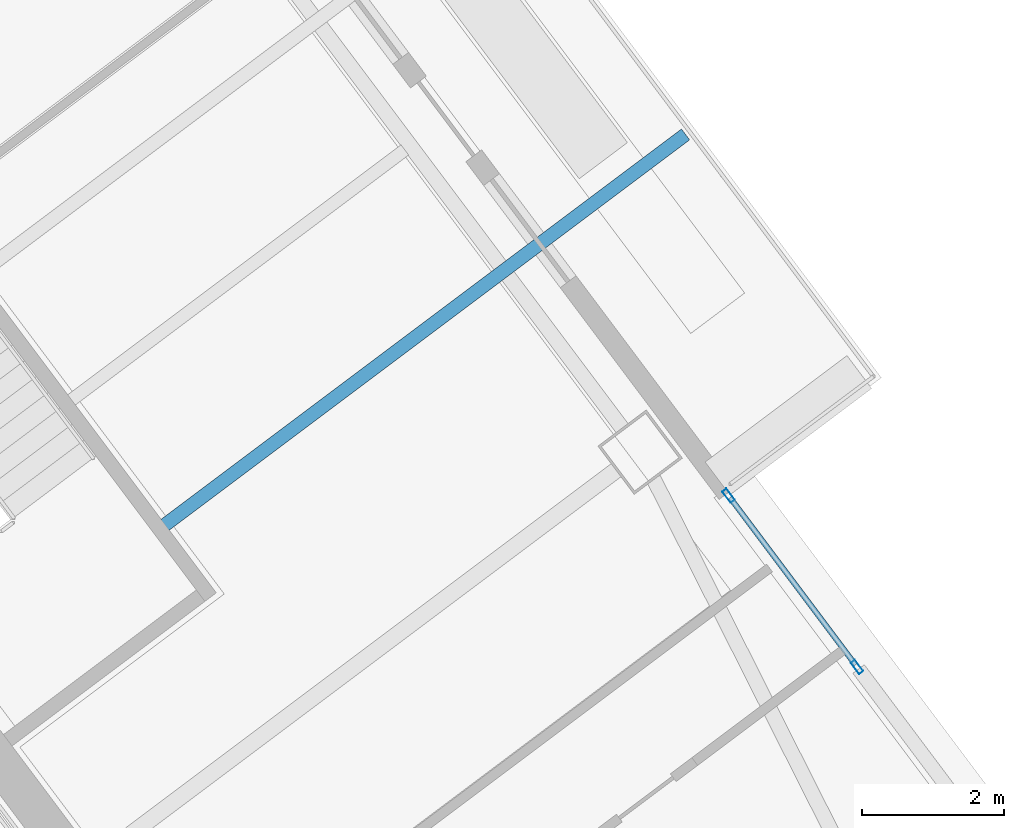
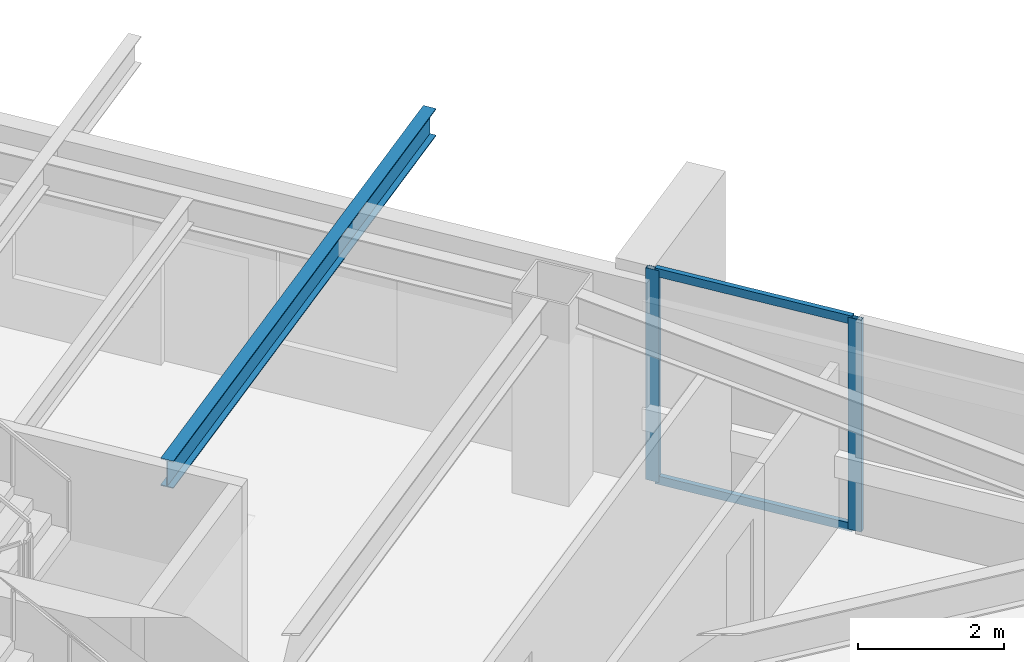
# One storey, part 24 of 41: 4 members, 1 beam, 1 element without a shape of its own.
"""IFC4 building model written with IfcOpenShell, lengths in metres."""

import ifcopenshell
import ifcopenshell.guid

model = None  # the IFC model being written
_history = None  # IfcOwnerHistory: only IFC2X3 demands one
_inside = {}  # id of a spatial element -> (the spatial element, [elements in it])
_under = {}  # id of a project, library or spatial element -> (it, [spatial elements below it])
_declared = {}  # id of a project -> (the project, [libraries it declares])
_typed = {}  # id of a type object -> (the type object, [elements of that type])
_made_of = {}  # id of a material, layer set ... -> (it, [elements and type objects made of it])


def new_model(schema):
    """Start an empty IFC model of exactly this schema.

    Asked for "IFC4X3", IfcOpenShell would pick the latest addendum, in which some entities
    have other attributes; the version numbers below select the first issue.
    IFC2X3 requires an IfcOwnerHistory on every rooted entity: one is made here for all.
    """
    global model, _history
    if schema == "IFC4X3":
        model = ifcopenshell.file(schema_version=(4, 3, 0, 0))
    else:
        model = ifcopenshell.file(schema=schema)
    _inside.clear()
    _under.clear()
    _declared.clear()
    _typed.clear()
    _made_of.clear()
    _history = None
    if model.schema == "IFC2X3":
        org = make("IfcOrganization", Name="unknown")
        user = make(
            "IfcPersonAndOrganization",
            ThePerson=make("IfcPerson", FamilyName="unknown"),
            TheOrganization=org,
        )
        app = make(
            "IfcApplication",
            ApplicationDeveloper=org,
            Version="unknown",
            ApplicationFullName="unknown",
            ApplicationIdentifier="unknown",
        )
        _history = make(
            "IfcOwnerHistory",
            OwningUser=user,
            OwningApplication=app,
            ChangeAction="ADDED",
            CreationDate=0,
        )
    return model


def make(cls, **values):
    """One entity of the class cls with the attributes given. An attribute that is None is left unset."""
    return model.create_entity(
        cls, **{name: value for name, value in values.items() if value is not None}
    )


def rooted(cls, **values):
    """An entity with a GlobalId (a new one), such as an element, a storey or a relation."""
    return make(cls, GlobalId=ifcopenshell.guid.new(), OwnerHistory=_history, **values)


def si_unit(unit_type, name, prefix=None):
    """IfcSIUnit, for example si_unit("LENGTHUNIT", "METRE", prefix="MILLI")."""
    return make("IfcSIUnit", UnitType=unit_type, Prefix=prefix, Name=name)


def assignment(units):
    """IfcUnitAssignment: the units of a project."""
    return None if units is None else make("IfcUnitAssignment", Units=units)


def point(xyz):
    """IfcCartesianPoint."""
    return None if xyz is None else make("IfcCartesianPoint", Coordinates=xyz)


def direction(xyz):
    """IfcDirection."""
    return None if xyz is None else make("IfcDirection", DirectionRatios=xyz)


def frame(location, z_axis=None, x_axis=None):
    """IfcAxis2Placement3D, a coordinate frame: its origin and axes. An axis left out is left unset."""
    return make(
        "IfcAxis2Placement3D",
        Location=point(location),
        Axis=direction(z_axis),
        RefDirection=direction(x_axis),
    )


def frame_2d(location, x_axis=None):
    """IfcAxis2Placement2D, a coordinate frame in the plane: its origin and x axis."""
    return make(
        "IfcAxis2Placement2D", Location=point(location), RefDirection=direction(x_axis)
    )


def origin():
    """The frame at (0, 0, 0) with its axes left unset."""
    return frame((0.0, 0.0, 0.0))


def origin_2d():
    """The frame at (0, 0) in the plane with its x axis left unset."""
    return frame_2d((0.0, 0.0))


def place(relative_to, where):
    """IfcLocalPlacement: puts the frame where relative to a parent placement (None: the world)."""
    return make(
        "IfcLocalPlacement", PlacementRelTo=relative_to, RelativePlacement=where
    )


def context(
    kind, dimensions, precision=None, world=None, true_north=None, identifier=None
):
    """IfcGeometricRepresentationContext, for example the 3D "Model" context."""
    return make(
        "IfcGeometricRepresentationContext",
        ContextIdentifier=identifier,
        ContextType=kind,
        CoordinateSpaceDimension=dimensions,
        Precision=precision,
        WorldCoordinateSystem=world,
        TrueNorth=true_north,
    )


def subcontext(parent, identifier, kind, view, scale=None):
    """IfcGeometricRepresentationSubContext, for example "Body" below "Model"."""
    return make(
        "IfcGeometricRepresentationSubContext",
        ContextIdentifier=identifier,
        ContextType=kind,
        ParentContext=parent,
        TargetScale=scale,
        TargetView=view,
    )


def project(units=None, contexts=None):
    """IfcProject with its units and contexts."""
    return rooted(
        "IfcProject",
        Name="project",
        RepresentationContexts=contexts,
        UnitsInContext=assignment(units),
    )


def spatial(cls, under=None, at=None, **own):
    """A site, building, storey or space (cls), placed at a placement, below another one or the project."""
    s = rooted(cls, ObjectPlacement=at, **own)
    if under is not None:
        _under.setdefault(under.id(), (under, []))[1].append(s)
    return s


def profile(cls, at=None, kind="AREA", **sizes):
    """A parametric profile (cls). Its sizes go by their IFC names, for example OverallWidth=200.0."""
    return make(cls, ProfileType=kind, Position=at, **sizes)


def hollow_rectangle(**sizes):
    """IfcRectangleHollowProfileDef."""
    return profile("IfcRectangleHollowProfileDef", **sizes)


def i_section(**sizes):
    """IfcIShapeProfileDef."""
    return profile("IfcIShapeProfileDef", **sizes)


def extrude(swept, where, along, depth):
    """IfcExtrudedAreaSolid: the profile swept, set in the frame where, extruded along a direction by depth."""
    return make(
        "IfcExtrudedAreaSolid",
        SweptArea=swept,
        Position=where,
        ExtrudedDirection=direction(along),
        Depth=depth,
    )


def shape(context_of_items, identifier, shape_type, items):
    """IfcShapeRepresentation: the items that make up one representation, for example the "Body"."""
    return make(
        "IfcShapeRepresentation",
        ContextOfItems=context_of_items,
        RepresentationIdentifier=identifier,
        RepresentationType=shape_type,
        Items=items,
    )


def material(Name=None, Category=None):
    """IfcMaterial."""
    return make("IfcMaterial", Name=Name, Category=Category)


def material_profile(
    of_material, cross_section, Name=None, Category=None, Priority=None
):
    """IfcMaterialProfile: a cross section and its material."""
    return make(
        "IfcMaterialProfile",
        Name=Name,
        Material=of_material,
        Profile=cross_section,
        Priority=Priority,
        Category=Category,
    )


def profile_set(profiles, Name=None, composite=None):
    """IfcMaterialProfileSet."""
    return make(
        "IfcMaterialProfileSet",
        Name=Name,
        MaterialProfiles=profiles,
        CompositeProfile=composite,
    )


def made_of(thing, what):
    """Note that an element or type object is made of a material, layer set ...; save() writes the relation."""
    if what is not None:
        _made_of.setdefault(what.id(), (what, []))[1].append(thing)
    return thing


def type_object(cls, material=None, **own):
    """A type object (cls), such as IfcWallType, which elements share."""
    return made_of(rooted(cls, **own), material)


def element(
    cls,
    number,
    at=None,
    inside=None,
    cuts=None,
    type_object=None,
    material=None,
    context=None,
    identifier="Body",
    shape_type=None,
    held_by="IfcProductDefinitionShape",
    body=None,
    shapes=None,
    **own,
):
    """One element of the class cls, such as IfcWall. Its Tag is "e" and its number.

    at: its placement. inside: the storey or other place that contains it. cuts: it is an
    opening in that element (IfcRelVoidsElement). A single representation is given by context,
    identifier, shape_type and body (its items); several are given by shapes. held_by: the class
    of the entity that holds the representations. save() writes the other relations.
    """
    e = rooted(cls, Tag="e%d" % number, ObjectPlacement=at, **own)
    if body is not None:
        shapes = [shape(context, identifier, shape_type, body)]
    if shapes is not None:
        e.Representation = make(held_by, Representations=shapes)
    if inside is not None:
        _inside.setdefault(inside.id(), (inside, []))[1].append(e)
    if cuts is not None:
        rooted(
            "IfcRelVoidsElement", RelatingBuildingElement=cuts, RelatedOpeningElement=e
        )
    if type_object is not None:
        _typed.setdefault(type_object.id(), (type_object, []))[1].append(e)
    return made_of(e, material)


def aggregate(whole, parts):
    """IfcRelAggregates: a whole, such as a stair, and the parts it consists of."""
    return rooted("IfcRelAggregates", RelatingObject=whole, RelatedObjects=parts)


def save(model, path):
    """Write the relations noted so far, then the file.

    IfcRelAggregates (storeys below a building ...), IfcRelContainedInSpatialStructure (elements
    in a storey), IfcRelDefinesByType, IfcRelAssociatesMaterial and IfcRelDeclares: one each for
    every whole, place, type object, material and project.
    """
    for whole, parts in _under.values():
        aggregate(whole, parts)
    for where, things in _inside.values():
        rooted(
            "IfcRelContainedInSpatialStructure",
            RelatedElements=things,
            RelatingStructure=where,
        )
    for kind, things in _typed.values():
        rooted("IfcRelDefinesByType", RelatedObjects=things, RelatingType=kind)
    for what, things in _made_of.values():
        rooted("IfcRelAssociatesMaterial", RelatedObjects=things, RelatingMaterial=what)
    for by, libraries in _declared.values():
        rooted("IfcRelDeclares", RelatingContext=by, RelatedDefinitions=libraries)
    model.write(path)


model = new_model("IFC4")

# Units and contexts
model_context = context("Model", 3, precision=1e-05, world=origin(), true_north=direction((0.0, 1.0)))
body_context = subcontext(model_context, "Body", "Model", "MODEL_VIEW")
ifc_project = project(units=[si_unit("LENGTHUNIT", "METRE"), si_unit("AREAUNIT", "SQUARE_METRE"), si_unit("VOLUMEUNIT", "CUBIC_METRE"), si_unit("PLANEANGLEUNIT", "RADIAN"), si_unit("MASSUNIT", "GRAM", prefix="KILO")], contexts=[model_context])

# Site, building, storey
site_placement = place(None, origin())
site = spatial("IfcSite", under=ifc_project, at=site_placement, CompositionType="ELEMENT")
building_placement = place(site_placement, origin())
building = spatial("IfcBuilding", under=site, at=building_placement, Name="Tashvorn Skyway Center", CompositionType="ELEMENT")
storey_placement = place(building_placement, frame((0.0, 0.0, 146.35009765625)))
storey = spatial("IfcBuildingStorey", under=building, at=storey_placement, Name="L39", CompositionType="ELEMENT", Elevation=146.35009765625)

# Beam
ifc_material_1 = material(Name="Steel ASTM A992 Grade 50", Category="steel")
ifc_material_profile_1 = material_profile(ifc_material_1, i_section(OverallWidth=0.19091796875, OverallDepth=0.4599609375, WebThickness=0.010009765625, FlangeThickness=0.01611328125, at=origin_2d()), Name="W18X55")
ifc_profile_set_1 = profile_set([ifc_material_profile_1], Name="Steel ASTM A992 Grade 50")
beam_type = type_object("IfcBeamType", Name="BM-JOIST-W18X55", PredefinedType="JOIST", material=ifc_profile_set_1)
beam_placement = place(storey_placement, frame((124.656005859375, 37.241943359375, 3.139892578125), z_axis=(0.799996808618, 0.600004255152, 0.0), x_axis=(-0.600004255152, 0.799996808618, 0.0)))
element("IfcBeam", 1, at=beam_placement, inside=storey, type_object=beam_type, Name="Tower 2 L40 Terrace Cantilever Outlooker 1", PredefinedType="JOIST", context=body_context, shape_type="SweptSolid", body=[
    extrude(i_section(OverallWidth=0.19091796875, OverallDepth=0.4599609375, WebThickness=0.010009765625, FlangeThickness=0.01611328125, at=origin_2d()), origin(), (0.0, 0.0, 1.0), 9.179931640625),
])

# Curtain wall, members
ifc_material_2 = material(Name="Thermally broken bronze-anodized aluminium 6063-T6", Category="aluminium")
curtain_wall_type = type_object("IfcCurtainWallType", Name="CW-CW-Z3", PredefinedType="NOTDEFINED", material=ifc_material_2)
curtain_wall_placement = place(storey_placement, origin())
curtain_wall = element("IfcCurtainWall", 2, at=curtain_wall_placement, inside=storey, type_object=curtain_wall_type, Name="Tower 2 L39 East Curtain Wall R Glazing Group 1", PredefinedType="NOTDEFINED")
ifc_material_profile_2 = material_profile(ifc_material_2, hollow_rectangle(XDim=0.074951171875, YDim=0.199951171875, WallThickness=0.00439453125, at=origin_2d()), Name="ALU-MULL-75x200")
ifc_profile_set_2 = profile_set([ifc_material_profile_2], Name="Thermally broken bronze-anodized aluminium 6063-T6")
member_type_1 = type_object("IfcMemberType", Name="CWM-CW-Z3", PredefinedType="MULLION", material=ifc_profile_set_2)
member_1_placement = place(storey_placement, frame((132.6064453125, 37.657958984375, 0.0), z_axis=(0.0, 0.0, 1.0), x_axis=(0.800003879262, 0.599994827616, 0.0)))
member_1 = element("IfcMember", 3, at=member_1_placement, type_object=member_type_1, Name="CW-Z3 mullion 1", PredefinedType="MULLION", context=body_context, shape_type="SweptSolid", body=[
    extrude(hollow_rectangle(XDim=0.074951171875, YDim=0.199951171875, WallThickness=0.00439453125, at=origin_2d()), origin(), (0.0, 0.0, 1.0), 3.5498046875),
])
member_2_placement = place(storey_placement, frame((134.41748046875, 35.243408203125, 0.0), z_axis=(0.0, 0.0, 1.0), x_axis=(0.800003879262, 0.599994827616, 0.0)))
member_2 = element("IfcMember", 4, at=member_2_placement, type_object=member_type_1, Name="CW-Z3 mullion 2", PredefinedType="MULLION", context=body_context, shape_type="SweptSolid", body=[
    extrude(hollow_rectangle(XDim=0.074951171875, YDim=0.199951171875, WallThickness=0.00439453125, at=origin_2d()), origin(), (0.0, 0.0, 1.0), 3.5498046875),
])
ifc_material_profile_3 = material_profile(ifc_material_2, hollow_rectangle(XDim=0.074951171875, YDim=0.139892578125, WallThickness=0.004150390625, at=origin_2d()), Name="ALU-TRAN-75x140")
ifc_profile_set_3 = profile_set([ifc_material_profile_3], Name="Thermally broken bronze-anodized aluminium 6063-T6")
member_type_2 = type_object("IfcMemberType", Name="CWT-CW-Z3", PredefinedType="USERDEFINED", material=ifc_profile_set_3)
member_3_placement = place(storey_placement, frame((132.62890625, 37.6279296875, 0.037353515625), z_axis=(0.600013270877, -0.79999004667, 0.0), x_axis=(0.79999004667, 0.600013270877, 0.0)))
member_3 = element("IfcMember", 5, at=member_3_placement, type_object=member_type_2, Name="CW-Z3 transom 1.1", ObjectType="TRANSOM", PredefinedType="USERDEFINED", context=body_context, shape_type="SweptSolid", body=[
    extrude(hollow_rectangle(XDim=0.074951171875, YDim=0.139892578125, WallThickness=0.004150390625, at=origin_2d()), origin(), (0.0, 0.0, 1.0), 2.943359375),
])
member_4_placement = place(storey_placement, frame((132.62890625, 37.6279296875, 3.512451171875), z_axis=(0.600013270877, -0.79999004667, 0.0), x_axis=(0.79999004667, 0.600013270877, 0.0)))
member_4 = element("IfcMember", 6, at=member_4_placement, type_object=member_type_2, Name="CW-Z3 transom 1.2", ObjectType="TRANSOM", PredefinedType="USERDEFINED", context=body_context, shape_type="SweptSolid", body=[
    extrude(hollow_rectangle(XDim=0.074951171875, YDim=0.139892578125, WallThickness=0.004150390625, at=origin_2d()), origin(), (0.0, 0.0, 1.0), 2.943359375),
])
aggregate(curtain_wall, [member_1, member_2, member_3, member_4])

save(model, "model.ifc")
